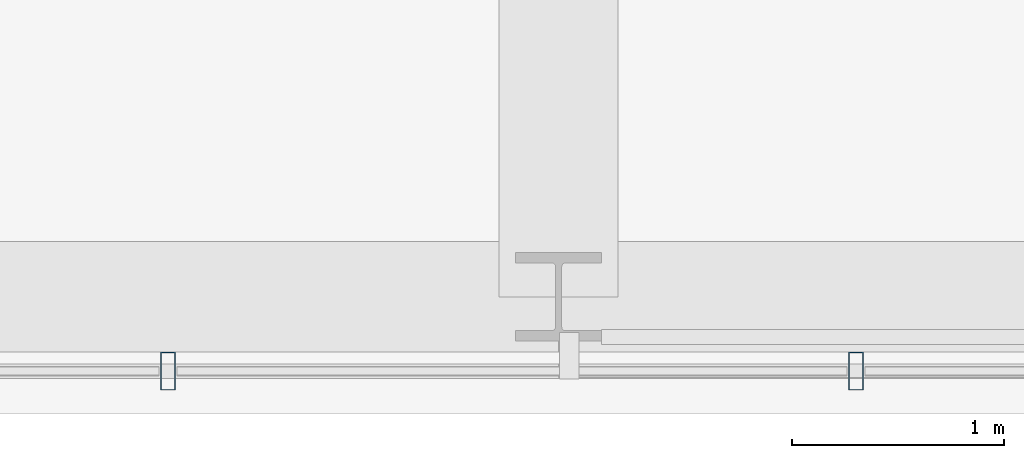
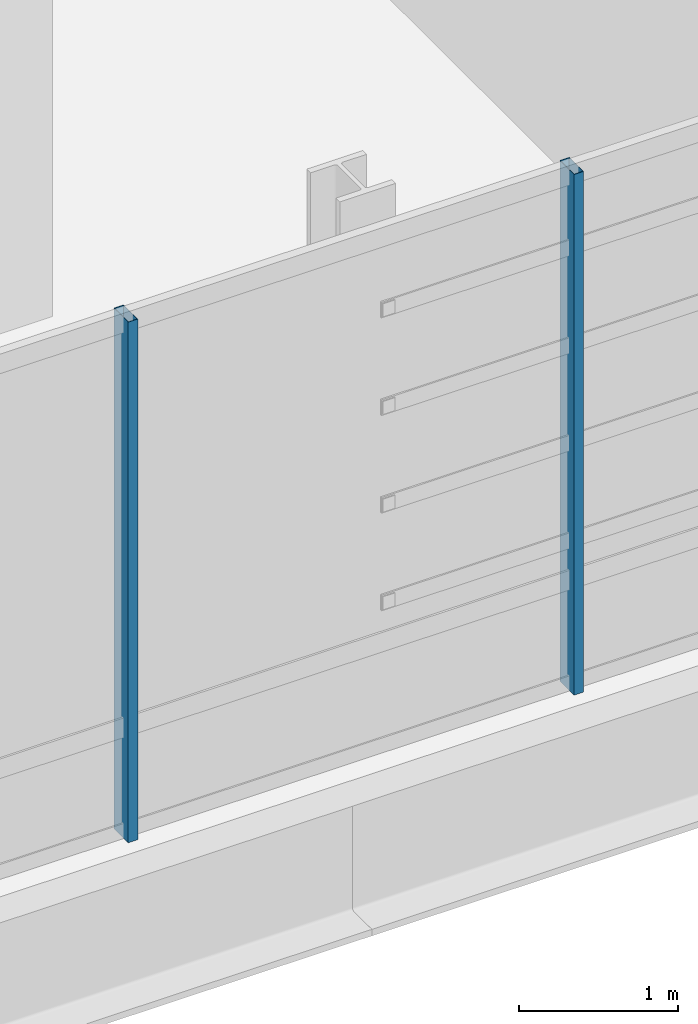
# One storey, part 7 of 43: 2 members, 1 element without a shape of its own.
"""IFC4 building model written with IfcOpenShell, lengths in metres."""

from ifc_helpers import new_model, si_unit, direction, frame, origin, origin_2d, place, context, subcontext, project, spatial, hollow_rectangle, extrude, material, material_profile, profile_set, type_object, element, aggregate, save


model = new_model("IFC4")

# Units and contexts
model_context = context("Model", 3, precision=1e-05, world=origin(), true_north=direction((0.0, 1.0)))
body_context = subcontext(model_context, "Body", "Model", "MODEL_VIEW")
ifc_project = project(units=[si_unit("LENGTHUNIT", "METRE"), si_unit("AREAUNIT", "SQUARE_METRE"), si_unit("VOLUMEUNIT", "CUBIC_METRE"), si_unit("PLANEANGLEUNIT", "RADIAN"), si_unit("MASSUNIT", "GRAM", prefix="KILO")], contexts=[model_context])

# Site, building, storey
site_placement = place(None, origin())
site = spatial("IfcSite", under=ifc_project, at=site_placement, CompositionType="ELEMENT")
building_placement = place(site_placement, origin())
building = spatial("IfcBuilding", under=site, at=building_placement, Name="Punatoya Terracotta Tower", CompositionType="ELEMENT")
storey_placement = place(building_placement, frame((0.0, 0.0, 321.60009765625)))
storey = spatial("IfcBuildingStorey", under=building, at=storey_placement, Name="L76", CompositionType="ELEMENT", Elevation=321.60009765625)

# Curtain wall, members
ifc_material_1 = material(Name="Aluminium 6063-T6 + Double Low-E Glass", Category="aluminium")
curtain_wall_type = type_object("IfcCurtainWallType", Name="CW-OBS", PredefinedType="NOTDEFINED", material=ifc_material_1)
curtain_wall_placement = place(storey_placement, origin())
curtain_wall = element("IfcCurtainWall", 1, at=curtain_wall_placement, inside=storey, type_object=curtain_wall_type, Name="L76 Curtain Wall CW-L76-S01-1", PredefinedType="NOTDEFINED")
ifc_material_2 = material(Name="Aluminium 6063-T6", Category="aluminium")
ifc_material_profile = material_profile(ifc_material_2, hollow_rectangle(XDim=0.070068359375, YDim=0.179931640625, WallThickness=0.00390625, at=origin_2d()))
ifc_profile_set = profile_set([ifc_material_profile], Name="Aluminium 6063-T6")
member_type = type_object("IfcMemberType", Name="CW-MUL-M3", PredefinedType="MULLION", material=ifc_profile_set)
member_1_placement = place(storey_placement, frame((-5.639404296875, -23.25, 0.0), z_axis=(0.0, 0.0, 1.0), x_axis=(1.0, 0.0, 0.0)))
member_1 = element("IfcMember", 2, at=member_1_placement, type_object=member_type, Name="CW-L76-S01-1 Mullion 05", PredefinedType="MULLION", context=body_context, shape_type="SweptSolid", body=[
    extrude(hollow_rectangle(XDim=0.070068359375, YDim=0.179931640625, WallThickness=0.00390625, at=origin_2d()), origin(), (0.0, 0.0, 1.0), 4.0),
])
member_2_placement = place(storey_placement, frame((-2.39990234375, -23.25, 0.0), z_axis=(0.0, 0.0, 1.0), x_axis=(1.0, 0.0, 0.0)))
member_2 = element("IfcMember", 3, at=member_2_placement, type_object=member_type, Name="CW-L76-S01-1 Mullion 06", PredefinedType="MULLION", context=body_context, shape_type="SweptSolid", body=[
    extrude(hollow_rectangle(XDim=0.070068359375, YDim=0.179931640625, WallThickness=0.00390625, at=origin_2d()), origin(), (0.0, 0.0, 1.0), 4.0),
])
aggregate(curtain_wall, [member_1, member_2])

save(model, "model.ifc")
